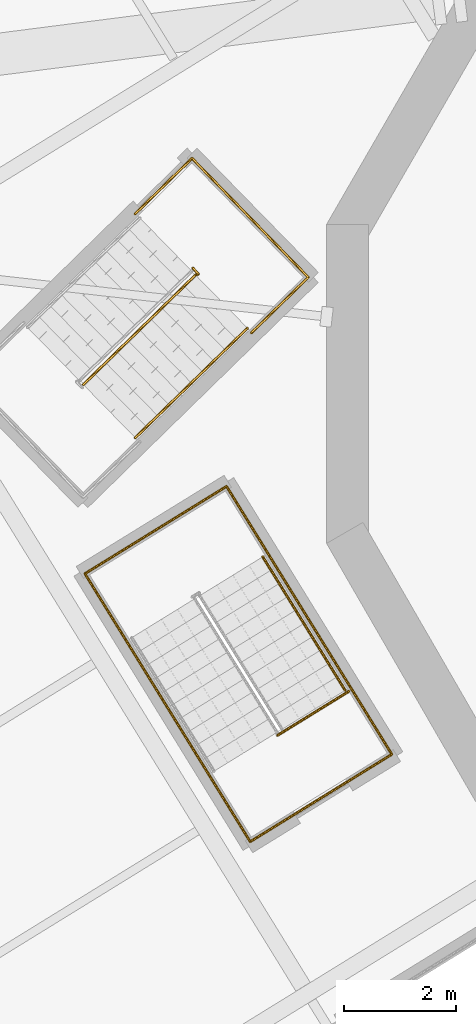
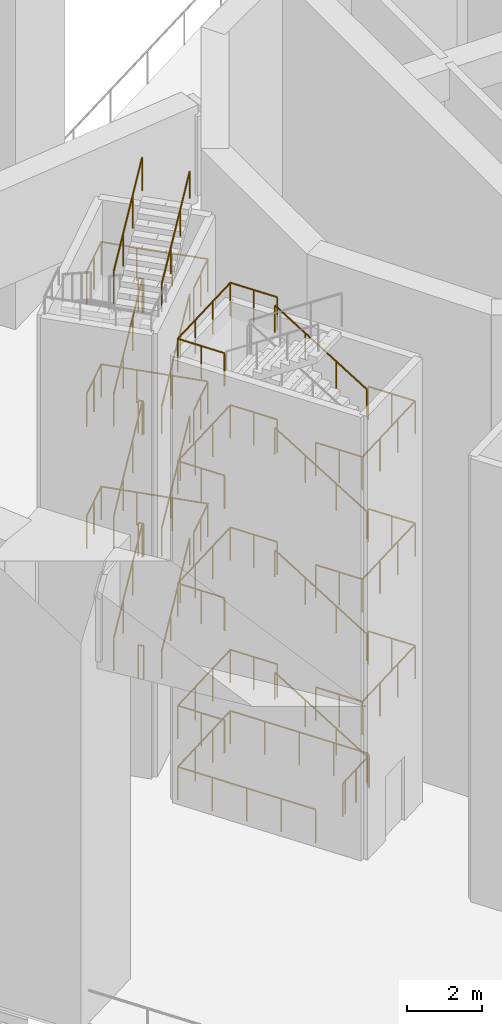
# One storey, part 11 of 15: 26 railings.
"""IFC4 building model written with IfcOpenShell, lengths in metres."""

import ifcopenshell
import ifcopenshell.guid

model = None  # the IFC model being written
_history = None  # IfcOwnerHistory: only IFC2X3 demands one
_inside = {}  # id of a spatial element -> (the spatial element, [elements in it])
_under = {}  # id of a project, library or spatial element -> (it, [spatial elements below it])
_declared = {}  # id of a project -> (the project, [libraries it declares])
_typed = {}  # id of a type object -> (the type object, [elements of that type])
_made_of = {}  # id of a material, layer set ... -> (it, [elements and type objects made of it])


def new_model(schema):
    """Start an empty IFC model of exactly this schema.

    Asked for "IFC4X3", IfcOpenShell would pick the latest addendum, in which some entities
    have other attributes; the version numbers below select the first issue.
    IFC2X3 requires an IfcOwnerHistory on every rooted entity: one is made here for all.
    """
    global model, _history
    if schema == "IFC4X3":
        model = ifcopenshell.file(schema_version=(4, 3, 0, 0))
    else:
        model = ifcopenshell.file(schema=schema)
    _inside.clear()
    _under.clear()
    _declared.clear()
    _typed.clear()
    _made_of.clear()
    _history = None
    if model.schema == "IFC2X3":
        org = make("IfcOrganization", Name="unknown")
        user = make(
            "IfcPersonAndOrganization",
            ThePerson=make("IfcPerson", FamilyName="unknown"),
            TheOrganization=org,
        )
        app = make(
            "IfcApplication",
            ApplicationDeveloper=org,
            Version="unknown",
            ApplicationFullName="unknown",
            ApplicationIdentifier="unknown",
        )
        _history = make(
            "IfcOwnerHistory",
            OwningUser=user,
            OwningApplication=app,
            ChangeAction="ADDED",
            CreationDate=0,
        )
    return model


def make(cls, **values):
    """One entity of the class cls with the attributes given. An attribute that is None is left unset."""
    return model.create_entity(
        cls, **{name: value for name, value in values.items() if value is not None}
    )


def rooted(cls, **values):
    """An entity with a GlobalId (a new one), such as an element, a storey or a relation."""
    return make(cls, GlobalId=ifcopenshell.guid.new(), OwnerHistory=_history, **values)


def si_unit(unit_type, name, prefix=None):
    """IfcSIUnit, for example si_unit("LENGTHUNIT", "METRE", prefix="MILLI")."""
    return make("IfcSIUnit", UnitType=unit_type, Prefix=prefix, Name=name)


def assignment(units):
    """IfcUnitAssignment: the units of a project."""
    return None if units is None else make("IfcUnitAssignment", Units=units)


def point(xyz):
    """IfcCartesianPoint."""
    return None if xyz is None else make("IfcCartesianPoint", Coordinates=xyz)


def direction(xyz):
    """IfcDirection."""
    return None if xyz is None else make("IfcDirection", DirectionRatios=xyz)


def frame(location, z_axis=None, x_axis=None):
    """IfcAxis2Placement3D, a coordinate frame: its origin and axes. An axis left out is left unset."""
    return make(
        "IfcAxis2Placement3D",
        Location=point(location),
        Axis=direction(z_axis),
        RefDirection=direction(x_axis),
    )


def frame_2d(location, x_axis=None):
    """IfcAxis2Placement2D, a coordinate frame in the plane: its origin and x axis."""
    return make(
        "IfcAxis2Placement2D", Location=point(location), RefDirection=direction(x_axis)
    )


def origin():
    """The frame at (0, 0, 0) with its axes left unset."""
    return frame((0.0, 0.0, 0.0))


def origin_2d():
    """The frame at (0, 0) in the plane with its x axis left unset."""
    return frame_2d((0.0, 0.0))


def place(relative_to, where):
    """IfcLocalPlacement: puts the frame where relative to a parent placement (None: the world)."""
    return make(
        "IfcLocalPlacement", PlacementRelTo=relative_to, RelativePlacement=where
    )


def context(
    kind, dimensions, precision=None, world=None, true_north=None, identifier=None
):
    """IfcGeometricRepresentationContext, for example the 3D "Model" context."""
    return make(
        "IfcGeometricRepresentationContext",
        ContextIdentifier=identifier,
        ContextType=kind,
        CoordinateSpaceDimension=dimensions,
        Precision=precision,
        WorldCoordinateSystem=world,
        TrueNorth=true_north,
    )


def subcontext(parent, identifier, kind, view, scale=None):
    """IfcGeometricRepresentationSubContext, for example "Body" below "Model"."""
    return make(
        "IfcGeometricRepresentationSubContext",
        ContextIdentifier=identifier,
        ContextType=kind,
        ParentContext=parent,
        TargetScale=scale,
        TargetView=view,
    )


def project(units=None, contexts=None):
    """IfcProject with its units and contexts."""
    return rooted(
        "IfcProject",
        Name="project",
        RepresentationContexts=contexts,
        UnitsInContext=assignment(units),
    )


def spatial(cls, under=None, at=None, **own):
    """A site, building, storey or space (cls), placed at a placement, below another one or the project."""
    s = rooted(cls, ObjectPlacement=at, **own)
    if under is not None:
        _under.setdefault(under.id(), (under, []))[1].append(s)
    return s


def profile(cls, at=None, kind="AREA", **sizes):
    """A parametric profile (cls). Its sizes go by their IFC names, for example OverallWidth=200.0."""
    return make(cls, ProfileType=kind, Position=at, **sizes)


def circle(**sizes):
    """IfcCircleProfileDef."""
    return profile("IfcCircleProfileDef", **sizes)


def extrude(swept, where, along, depth):
    """IfcExtrudedAreaSolid: the profile swept, set in the frame where, extruded along a direction by depth."""
    return make(
        "IfcExtrudedAreaSolid",
        SweptArea=swept,
        Position=where,
        ExtrudedDirection=direction(along),
        Depth=depth,
    )


def shape(context_of_items, identifier, shape_type, items):
    """IfcShapeRepresentation: the items that make up one representation, for example the "Body"."""
    return make(
        "IfcShapeRepresentation",
        ContextOfItems=context_of_items,
        RepresentationIdentifier=identifier,
        RepresentationType=shape_type,
        Items=items,
    )


def material(Name=None, Category=None):
    """IfcMaterial."""
    return make("IfcMaterial", Name=Name, Category=Category)


def made_of(thing, what):
    """Note that an element or type object is made of a material, layer set ...; save() writes the relation."""
    if what is not None:
        _made_of.setdefault(what.id(), (what, []))[1].append(thing)
    return thing


def type_object(cls, material=None, **own):
    """A type object (cls), such as IfcWallType, which elements share."""
    return made_of(rooted(cls, **own), material)


def element(
    cls,
    number,
    at=None,
    inside=None,
    cuts=None,
    type_object=None,
    material=None,
    context=None,
    identifier="Body",
    shape_type=None,
    held_by="IfcProductDefinitionShape",
    body=None,
    shapes=None,
    **own,
):
    """One element of the class cls, such as IfcWall. Its Tag is "e" and its number.

    at: its placement. inside: the storey or other place that contains it. cuts: it is an
    opening in that element (IfcRelVoidsElement). A single representation is given by context,
    identifier, shape_type and body (its items); several are given by shapes. held_by: the class
    of the entity that holds the representations. save() writes the other relations.
    """
    e = rooted(cls, Tag="e%d" % number, ObjectPlacement=at, **own)
    if body is not None:
        shapes = [shape(context, identifier, shape_type, body)]
    if shapes is not None:
        e.Representation = make(held_by, Representations=shapes)
    if inside is not None:
        _inside.setdefault(inside.id(), (inside, []))[1].append(e)
    if cuts is not None:
        rooted(
            "IfcRelVoidsElement", RelatingBuildingElement=cuts, RelatedOpeningElement=e
        )
    if type_object is not None:
        _typed.setdefault(type_object.id(), (type_object, []))[1].append(e)
    return made_of(e, material)


def aggregate(whole, parts):
    """IfcRelAggregates: a whole, such as a stair, and the parts it consists of."""
    return rooted("IfcRelAggregates", RelatingObject=whole, RelatedObjects=parts)


def save(model, path):
    """Write the relations noted so far, then the file.

    IfcRelAggregates (storeys below a building ...), IfcRelContainedInSpatialStructure (elements
    in a storey), IfcRelDefinesByType, IfcRelAssociatesMaterial and IfcRelDeclares: one each for
    every whole, place, type object, material and project.
    """
    for whole, parts in _under.values():
        aggregate(whole, parts)
    for where, things in _inside.values():
        rooted(
            "IfcRelContainedInSpatialStructure",
            RelatedElements=things,
            RelatingStructure=where,
        )
    for kind, things in _typed.values():
        rooted("IfcRelDefinesByType", RelatedObjects=things, RelatingType=kind)
    for what, things in _made_of.values():
        rooted("IfcRelAssociatesMaterial", RelatedObjects=things, RelatingMaterial=what)
    for by, libraries in _declared.values():
        rooted("IfcRelDeclares", RelatingContext=by, RelatedDefinitions=libraries)
    model.write(path)


model = new_model("IFC4")

# Units and contexts
model_context = context("Model", 3, precision=1e-05, world=origin(), true_north=direction((0.0, 1.0)))
body_context = subcontext(model_context, "Body", "Model", "MODEL_VIEW")
ifc_project = project(units=[si_unit("LENGTHUNIT", "METRE"), si_unit("AREAUNIT", "SQUARE_METRE"), si_unit("VOLUMEUNIT", "CUBIC_METRE"), si_unit("PLANEANGLEUNIT", "RADIAN"), si_unit("MASSUNIT", "GRAM", prefix="KILO")], contexts=[model_context])

# Site, building, storey
site_placement = place(None, origin())
site = spatial("IfcSite", under=ifc_project, at=site_placement, CompositionType="ELEMENT")
building_placement = place(site_placement, origin())
building = spatial("IfcBuilding", under=site, at=building_placement, Name="Cantera Rosa Tower", CompositionType="ELEMENT")
storey_placement = place(building_placement, frame((0.0, 0.0, 189.39990234375)))
storey = spatial("IfcBuildingStorey", under=building, at=storey_placement, Name="L42", CompositionType="ELEMENT", Elevation=189.39990234375)

# Railings
ifc_material_1 = material(Name="Steel S355J2 (EN 10025-2)", Category="steel")
railing_type_1 = type_object("IfcRailingType", Name="STAIR GUARD 1100", PredefinedType="GUARDRAIL", material=ifc_material_1)
railing_1_placement = place(storey_placement, frame((-10.225830078125, -5.486083984375, 0.0)))
element("IfcRailing", 1, at=railing_1_placement, inside=storey, type_object=railing_type_1, Name="L42 ST-32 top well guard 1", PredefinedType="GUARDRAIL", context=body_context, shape_type="SweptSolid", body=[
    extrude(circle(Radius=0.02392578125, at=origin_2d()), frame((0.0, 0.0, 1.076171875), z_axis=(-0.85118298814, -0.524869051004, 0.0), x_axis=(0.524869051004, -0.85118298814, 0.0)), (0.0, 0.0, 1.0), 1.5),
    extrude(circle(Radius=0.02099609375, at=origin_2d()), origin(), (0.0, 0.0, 1.0), 1.052001953125),
    extrude(circle(Radius=0.02099609375, at=origin_2d()), frame((-0.638427734375, -0.3935546875, 0.0)), (0.0, 0.0, 1.0), 1.052001953125),
    extrude(circle(Radius=0.02099609375, at=origin_2d()), frame((-1.27685546875, -0.787353515625, 0.0)), (0.0, 0.0, 1.0), 1.052001953125),
])
railing_2_placement = place(storey_placement, frame((-10.20751953125, -5.40185546875, 0.0)))
element("IfcRailing", 2, at=railing_2_placement, inside=storey, type_object=railing_type_1, Name="L42 ST-32 top well guard 2", PredefinedType="GUARDRAIL", context=body_context, shape_type="SweptSolid", body=[
    extrude(circle(Radius=0.02392578125, at=origin_2d()), frame((0.0, 0.0, 1.076171875), z_axis=(-0.524976478809, 0.851116735059, 0.0), x_axis=(-0.851116735059, -0.524976478809, 0.0)), (0.0, 0.0, 1.0), 4.197998046875),
    extrude(circle(Radius=0.02392578125, at=origin_2d()), frame((-2.203857421875, 3.572998046875, 1.076171875), z_axis=(-0.851132917336, -0.524950242429, 0.0), x_axis=(0.524950242429, -0.851132917336, 0.0)), (0.0, 0.0, 1.0), 2.969970703125),
    extrude(circle(Radius=0.02392578125, at=origin_2d()), frame((-4.731689453125, 2.013916015625, 1.076171875), z_axis=(0.524976478809, -0.851116735059, 0.0), x_axis=(0.851116735059, 0.524976478809, 0.0)), (0.0, 0.0, 1.0), 4.197998046875),
    extrude(circle(Radius=0.02099609375, at=origin_2d()), origin(), (0.0, 0.0, 1.0), 1.052001953125),
    extrude(circle(Radius=0.02099609375, at=origin_2d()), frame((-0.551025390625, 0.893310546875, 0.0)), (0.0, 0.0, 1.0), 1.052001953125),
    extrude(circle(Radius=0.02099609375, at=origin_2d()), frame((-1.10205078125, 1.78662109375, 0.0)), (0.0, 0.0, 1.0), 1.052001953125),
    extrude(circle(Radius=0.02099609375, at=origin_2d()), frame((-1.65283203125, 2.6796875, 0.0)), (0.0, 0.0, 1.0), 1.052001953125),
    extrude(circle(Radius=0.02099609375, at=origin_2d()), frame((-2.203857421875, 3.572998046875, 0.0)), (0.0, 0.0, 1.0), 1.052001953125),
    extrude(circle(Radius=0.02099609375, at=origin_2d()), frame((-3.04638671875, 3.05322265625, 0.0)), (0.0, 0.0, 1.0), 1.052001953125),
    extrude(circle(Radius=0.02099609375, at=origin_2d()), frame((-3.88916015625, 2.53369140625, 0.0)), (0.0, 0.0, 1.0), 1.052001953125),
    extrude(circle(Radius=0.02099609375, at=origin_2d()), frame((-4.731689453125, 2.013916015625, 0.0)), (0.0, 0.0, 1.0), 1.052001953125),
    extrude(circle(Radius=0.02099609375, at=origin_2d()), frame((-4.1806640625, 1.12060546875, 0.0)), (0.0, 0.0, 1.0), 1.052001953125),
    extrude(circle(Radius=0.02099609375, at=origin_2d()), frame((-3.6298828125, 0.2275390625, 0.0)), (0.0, 0.0, 1.0), 1.052001953125),
    extrude(circle(Radius=0.02099609375, at=origin_2d()), frame((-3.078857421875, -0.665771484375, 0.0)), (0.0, 0.0, 1.0), 1.052001953125),
    extrude(circle(Radius=0.02099609375, at=origin_2d()), frame((-2.52783203125, -1.55908203125, 0.0)), (0.0, 0.0, 1.0), 1.052001953125),
])
for number, where, name in (
    (3, (-14.967041015625, -0.013427734375, 2.181884765625), "L42 ST-43 stair guard 2"),
    (4, (-14.967041015625, -0.013427734375, 6.181884765625), "L42 ST-43 stair guard 4"),
    (5, (-14.967041015625, -0.013427734375, 10.181884765625), "L42 ST-43 stair guard 6"),
):
    element("IfcRailing", number, at=place(storey_placement, frame(where)), inside=storey, type_object=railing_type_1, Name=name, PredefinedType="GUARDRAIL", context=body_context, shape_type="SweptSolid", body=[
        extrude(circle(Radius=0.02392578125, at=origin_2d()), frame((0.0, 0.0, 1.076171875), z_axis=(0.599883231653, 0.586134841119, 0.544597150569), x_axis=(-0.698863004655, 0.715255549244, 0.0)), (0.0, 0.0, 1.0), 3.33837890625),
        extrude(circle(Radius=0.02392578125, at=origin_2d()), frame((2.002685546875, 1.956787109375, 2.89404296875), z_axis=(0.956987977523, 0.290127576896, 0.0), x_axis=(-0.290127576896, 0.956987977523, 0.0)), (0.0, 0.0, 1.0), 0.056396484375),
        extrude(circle(Radius=0.02392578125, at=origin_2d()), frame((2.056640625, 1.97314453125, 2.89404296875), z_axis=(-0.698914008722, 0.715205710557, 0.0), x_axis=(-0.715205710557, -0.698914008722, 0.0)), (0.0, 0.0, 1.0), 0.14990234375),
        extrude(circle(Radius=0.02099609375, at=origin_2d()), origin(), (0.0, 0.0, 1.0), 1.052001953125),
        extrude(circle(Radius=0.02099609375, at=origin_2d()), frame((0.66748046875, 0.65234375, 0.60595703125)), (0.0, 0.0, 1.0), 1.052001953125),
        extrude(circle(Radius=0.02099609375, at=origin_2d()), frame((1.335205078125, 1.304443359375, 1.212158203125)), (0.0, 0.0, 1.0), 1.052001953125),
        extrude(circle(Radius=0.02099609375, at=origin_2d()), frame((2.002685546875, 1.956787109375, 1.818115234375)), (0.0, 0.0, 1.0), 1.052001953125),
        extrude(circle(Radius=0.02099609375, at=origin_2d()), frame((2.056640625, 1.97314453125, 1.818115234375)), (0.0, 0.0, 1.0), 1.052001953125),
        extrude(circle(Radius=0.02099609375, at=origin_2d()), frame((1.951904296875, 2.080322265625, 1.818115234375)), (0.0, 0.0, 1.0), 1.052001953125),
    ])
railing_3_placement = place(storey_placement, frame((-14.967041015625, -0.013427734375, 14.181884765625)))
element("IfcRailing", 6, at=railing_3_placement, inside=storey, type_object=railing_type_1, Name="L42 ST-43 stair guard 8", PredefinedType="GUARDRAIL", context=body_context, shape_type="SweptSolid", body=[
    extrude(circle(Radius=0.02392578125, at=origin_2d()), frame((0.0, 0.0, 1.076171875), z_axis=(0.599883231653, 0.586134841119, 0.544597150569), x_axis=(-0.698863004655, 0.715255549244, 0.0)), (0.0, 0.0, 1.0), 3.33837890625),
    extrude(circle(Radius=0.02099609375, at=origin_2d()), origin(), (0.0, 0.0, 1.0), 1.052001953125),
    extrude(circle(Radius=0.02099609375, at=origin_2d()), frame((0.66748046875, 0.65234375, 0.60595703125)), (0.0, 0.0, 1.0), 1.052001953125),
    extrude(circle(Radius=0.02099609375, at=origin_2d()), frame((1.335205078125, 1.304443359375, 1.212158203125)), (0.0, 0.0, 1.0), 1.052001953125),
    extrude(circle(Radius=0.02099609375, at=origin_2d()), frame((2.002685546875, 1.956787109375, 1.818115234375)), (0.0, 0.0, 1.0), 1.052001953125),
])
railing_4_placement = place(storey_placement, frame((-13.01513671875, 2.06689453125, 0.0)))
element("IfcRailing", 7, at=railing_4_placement, inside=storey, type_object=railing_type_1, Name="L42 ST-43 stair guard 9", PredefinedType="GUARDRAIL", context=body_context, shape_type="SweptSolid", body=[
    extrude(circle(Radius=0.02392578125, at=origin_2d()), frame((0.0, 0.0, 1.076171875), z_axis=(0.698914008722, -0.715205710557, 0.0), x_axis=(0.715205710557, 0.698914008722, 0.0)), (0.0, 0.0, 1.0), 0.14990234375),
    extrude(circle(Radius=0.02099609375, at=origin_2d()), origin(), (0.0, 0.0, 1.0), 1.052001953125),
    extrude(circle(Radius=0.02099609375, at=origin_2d()), frame((0.104736328125, -0.107177734375, 0.0)), (0.0, 0.0, 1.0), 1.052001953125),
])
for number, where, name in (
    (8, (-14.044921875, 3.0322265625, 4.0), "L42 ST-43 stair guard 11"),
    (9, (-14.044921875, 3.0322265625, 8.0), "L42 ST-43 stair guard 13"),
    (10, (-14.044921875, 3.0322265625, 12.0), "L42 ST-43 stair guard 15"),
):
    element("IfcRailing", number, at=place(storey_placement, frame(where)), inside=storey, type_object=railing_type_1, Name=name, PredefinedType="GUARDRAIL", context=body_context, shape_type="SweptSolid", body=[
        extrude(circle(Radius=0.02392578125, at=origin_2d()), frame((0.0, 0.0, 1.076171875), z_axis=(0.715300328746, 0.698817171867, 0.0), x_axis=(-0.698817171867, 0.715300328746, 0.0)), (0.0, 0.0, 1.0), 1.421875),
        extrude(circle(Radius=0.02392578125, at=origin_2d()), frame((1.01708984375, 0.99365234375, 1.076171875), z_axis=(0.698838333505, -0.715279654138, 0.0), x_axis=(0.715279654138, 0.698838333505, 0.0)), (0.0, 0.0, 1.0), 2.9697265625),
        extrude(circle(Radius=0.02392578125, at=origin_2d()), frame((3.092529296875, -1.130615234375, 1.076171875), z_axis=(-0.7152145072, -0.698905006915, 0.0), x_axis=(0.698905006915, -0.7152145072, 0.0)), (0.0, 0.0, 1.0), 1.422119140625),
        extrude(circle(Radius=0.02099609375, at=origin_2d()), origin(), (0.0, 0.0, 1.0), 1.052001953125),
        extrude(circle(Radius=0.02099609375, at=origin_2d()), frame((0.508544921875, 0.496826171875, 0.0)), (0.0, 0.0, 1.0), 1.052001953125),
        extrude(circle(Radius=0.02099609375, at=origin_2d()), frame((1.01708984375, 0.99365234375, 0.0)), (0.0, 0.0, 1.0), 1.052001953125),
        extrude(circle(Radius=0.02099609375, at=origin_2d()), frame((1.708984375, 0.28564453125, 0.0)), (0.0, 0.0, 1.0), 1.052001953125),
        extrude(circle(Radius=0.02099609375, at=origin_2d()), frame((2.400634765625, -0.422607421875, 0.0)), (0.0, 0.0, 1.0), 1.052001953125),
        extrude(circle(Radius=0.02099609375, at=origin_2d()), frame((3.092529296875, -1.130615234375, 0.0)), (0.0, 0.0, 1.0), 1.052001953125),
        extrude(circle(Radius=0.02099609375, at=origin_2d()), frame((2.583984375, -1.62744140625, 0.0)), (0.0, 0.0, 1.0), 1.052001953125),
        extrude(circle(Radius=0.02099609375, at=origin_2d()), frame((2.075439453125, -2.12451171875, 0.0)), (0.0, 0.0, 1.0), 1.052001953125),
    ])
railing_5_placement = place(storey_placement, frame((-11.375, -6.19482421875, 0.0)))
element("IfcRailing", 11, at=railing_5_placement, inside=storey, type_object=railing_type_1, Name="L42 ST-44 stair guard 9", PredefinedType="GUARDRAIL", context=body_context, shape_type="SweptSolid", body=[
    extrude(circle(Radius=0.02392578125, at=origin_2d()), frame((0.0, 0.0, 1.076171875), z_axis=(-0.851546489876, -0.524279100842, 0.0), x_axis=(0.524279100842, -0.851546489876, 0.0)), (0.0, 0.0, 1.0), 0.14990234375),
    extrude(circle(Radius=0.02099609375, at=origin_2d()), origin(), (0.0, 0.0, 1.0), 1.052001953125),
    extrude(circle(Radius=0.02099609375, at=origin_2d()), frame((-0.127685546875, -0.07861328125, 0.0)), (0.0, 0.0, 1.0), 1.052001953125),
])
railing_6_placement = place(storey_placement, frame((-11.664794921875, -3.0390625, 2.0)))
element("IfcRailing", 12, at=railing_6_placement, inside=storey, type_object=railing_type_1, Name="L42 ST-44 stair guard 10", PredefinedType="GUARDRAIL", context=body_context, shape_type="SweptSolid", body=[
    extrude(circle(Radius=0.02392578125, at=origin_2d()), frame((0.0, 0.0, 1.076171875), z_axis=(-0.525035889828, 0.851080086944, 0.0), x_axis=(-0.851080086944, -0.525035889828, 0.0)), (0.0, 0.0, 1.0), 1.421875),
    extrude(circle(Radius=0.02392578125, at=origin_2d()), frame((-0.74658203125, 1.210205078125, 1.076171875), z_axis=(-0.851132917336, -0.524950242429, 0.0), x_axis=(0.524950242429, -0.851132917336, 0.0)), (0.0, 0.0, 1.0), 2.969970703125),
    extrude(circle(Radius=0.02392578125, at=origin_2d()), frame((-3.2744140625, -0.348876953125, 1.076171875), z_axis=(0.525035889828, -0.851080086944, 0.0), x_axis=(0.851080086944, 0.525035889828, 0.0)), (0.0, 0.0, 1.0), 1.421875),
    extrude(circle(Radius=0.02099609375, at=origin_2d()), origin(), (0.0, 0.0, 1.0), 1.052001953125),
    extrude(circle(Radius=0.02099609375, at=origin_2d()), frame((-0.373291015625, 0.60498046875, 0.0)), (0.0, 0.0, 1.0), 1.052001953125),
    extrude(circle(Radius=0.02099609375, at=origin_2d()), frame((-0.74658203125, 1.210205078125, 0.0)), (0.0, 0.0, 1.0), 1.052001953125),
    extrude(circle(Radius=0.02099609375, at=origin_2d()), frame((-1.589111328125, 0.6904296875, 0.0)), (0.0, 0.0, 1.0), 1.052001953125),
    extrude(circle(Radius=0.02099609375, at=origin_2d()), frame((-2.431884765625, 0.1708984375, 0.0)), (0.0, 0.0, 1.0), 1.052001953125),
    extrude(circle(Radius=0.02099609375, at=origin_2d()), frame((-3.2744140625, -0.348876953125, 0.0)), (0.0, 0.0, 1.0), 1.052001953125),
    extrude(circle(Radius=0.02099609375, at=origin_2d()), frame((-2.901123046875, -0.9541015625, 0.0)), (0.0, 0.0, 1.0), 1.052001953125),
    extrude(circle(Radius=0.02099609375, at=origin_2d()), frame((-2.52783203125, -1.55908203125, 0.0)), (0.0, 0.0, 1.0), 1.052001953125),
])
railing_7_placement = place(storey_placement, frame((-10.20751953125, -5.40185546875, 4.0)))
element("IfcRailing", 13, at=railing_7_placement, inside=storey, type_object=railing_type_1, Name="L42 ST-44 stair guard 11", PredefinedType="GUARDRAIL", context=body_context, shape_type="SweptSolid", body=[
    extrude(circle(Radius=0.02392578125, at=origin_2d()), frame((0.0, 0.0, 1.076171875), z_axis=(0.525035889828, -0.851080086944, 0.0), x_axis=(0.851080086944, 0.525035889828, 0.0)), (0.0, 0.0, 1.0), 1.421875),
    extrude(circle(Radius=0.02392578125, at=origin_2d()), frame((0.74658203125, -1.210205078125, 1.076171875), z_axis=(-0.851132917336, -0.524950242429, 0.0), x_axis=(0.524950242429, -0.851132917336, 0.0)), (0.0, 0.0, 1.0), 2.969970703125),
    extrude(circle(Radius=0.02392578125, at=origin_2d()), frame((-1.78125, -2.769287109375, 1.076171875), z_axis=(-0.525035889828, 0.851080086944, 0.0), x_axis=(-0.851080086944, -0.525035889828, 0.0)), (0.0, 0.0, 1.0), 1.421875),
    extrude(circle(Radius=0.02099609375, at=origin_2d()), origin(), (0.0, 0.0, 1.0), 1.052001953125),
    extrude(circle(Radius=0.02099609375, at=origin_2d()), frame((0.373291015625, -0.60498046875, 0.0)), (0.0, 0.0, 1.0), 1.052001953125),
    extrude(circle(Radius=0.02099609375, at=origin_2d()), frame((0.74658203125, -1.210205078125, 0.0)), (0.0, 0.0, 1.0), 1.052001953125),
    extrude(circle(Radius=0.02099609375, at=origin_2d()), frame((-0.095947265625, -1.72998046875, 0.0)), (0.0, 0.0, 1.0), 1.052001953125),
    extrude(circle(Radius=0.02099609375, at=origin_2d()), frame((-0.938720703125, -2.24951171875, 0.0)), (0.0, 0.0, 1.0), 1.052001953125),
    extrude(circle(Radius=0.02099609375, at=origin_2d()), frame((-1.78125, -2.769287109375, 0.0)), (0.0, 0.0, 1.0), 1.052001953125),
    extrude(circle(Radius=0.02099609375, at=origin_2d()), frame((-2.154541015625, -2.1640625, 0.0)), (0.0, 0.0, 1.0), 1.052001953125),
    extrude(circle(Radius=0.02099609375, at=origin_2d()), frame((-2.52783203125, -1.55908203125, 0.0)), (0.0, 0.0, 1.0), 1.052001953125),
])
railing_8_placement = place(storey_placement, frame((-11.664794921875, -3.0390625, 6.0)))
element("IfcRailing", 14, at=railing_8_placement, inside=storey, type_object=railing_type_1, Name="L42 ST-44 stair guard 12", PredefinedType="GUARDRAIL", context=body_context, shape_type="SweptSolid", body=[
    extrude(circle(Radius=0.02392578125, at=origin_2d()), frame((0.0, 0.0, 1.076171875), z_axis=(-0.525035889828, 0.851080086944, 0.0), x_axis=(-0.851080086944, -0.525035889828, 0.0)), (0.0, 0.0, 1.0), 1.421875),
    extrude(circle(Radius=0.02392578125, at=origin_2d()), frame((-0.74658203125, 1.210205078125, 1.076171875), z_axis=(-0.851132917336, -0.524950242429, 0.0), x_axis=(0.524950242429, -0.851132917336, 0.0)), (0.0, 0.0, 1.0), 2.969970703125),
    extrude(circle(Radius=0.02392578125, at=origin_2d()), frame((-3.2744140625, -0.348876953125, 1.076171875), z_axis=(0.525035889828, -0.851080086944, 0.0), x_axis=(0.851080086944, 0.525035889828, 0.0)), (0.0, 0.0, 1.0), 1.421875),
    extrude(circle(Radius=0.02099609375, at=origin_2d()), origin(), (0.0, 0.0, 1.0), 1.052001953125),
    extrude(circle(Radius=0.02099609375, at=origin_2d()), frame((-0.373291015625, 0.60498046875, 0.0)), (0.0, 0.0, 1.0), 1.052001953125),
    extrude(circle(Radius=0.02099609375, at=origin_2d()), frame((-0.74658203125, 1.210205078125, 0.0)), (0.0, 0.0, 1.0), 1.052001953125),
    extrude(circle(Radius=0.02099609375, at=origin_2d()), frame((-1.589111328125, 0.6904296875, 0.0)), (0.0, 0.0, 1.0), 1.052001953125),
    extrude(circle(Radius=0.02099609375, at=origin_2d()), frame((-2.431884765625, 0.1708984375, 0.0)), (0.0, 0.0, 1.0), 1.052001953125),
    extrude(circle(Radius=0.02099609375, at=origin_2d()), frame((-3.2744140625, -0.348876953125, 0.0)), (0.0, 0.0, 1.0), 1.052001953125),
    extrude(circle(Radius=0.02099609375, at=origin_2d()), frame((-2.901123046875, -0.9541015625, 0.0)), (0.0, 0.0, 1.0), 1.052001953125),
    extrude(circle(Radius=0.02099609375, at=origin_2d()), frame((-2.52783203125, -1.55908203125, 0.0)), (0.0, 0.0, 1.0), 1.052001953125),
])
railing_9_placement = place(storey_placement, frame((-10.20751953125, -5.40185546875, 8.0)))
element("IfcRailing", 15, at=railing_9_placement, inside=storey, type_object=railing_type_1, Name="L42 ST-44 stair guard 13", PredefinedType="GUARDRAIL", context=body_context, shape_type="SweptSolid", body=[
    extrude(circle(Radius=0.02392578125, at=origin_2d()), frame((0.0, 0.0, 1.076171875), z_axis=(0.525035889828, -0.851080086944, 0.0), x_axis=(0.851080086944, 0.525035889828, 0.0)), (0.0, 0.0, 1.0), 1.421875),
    extrude(circle(Radius=0.02392578125, at=origin_2d()), frame((0.74658203125, -1.210205078125, 1.076171875), z_axis=(-0.851132917336, -0.524950242429, 0.0), x_axis=(0.524950242429, -0.851132917336, 0.0)), (0.0, 0.0, 1.0), 2.969970703125),
    extrude(circle(Radius=0.02392578125, at=origin_2d()), frame((-1.78125, -2.769287109375, 1.076171875), z_axis=(-0.525035889828, 0.851080086944, 0.0), x_axis=(-0.851080086944, -0.525035889828, 0.0)), (0.0, 0.0, 1.0), 1.421875),
    extrude(circle(Radius=0.02099609375, at=origin_2d()), origin(), (0.0, 0.0, 1.0), 1.052001953125),
    extrude(circle(Radius=0.02099609375, at=origin_2d()), frame((0.373291015625, -0.60498046875, 0.0)), (0.0, 0.0, 1.0), 1.052001953125),
    extrude(circle(Radius=0.02099609375, at=origin_2d()), frame((0.74658203125, -1.210205078125, 0.0)), (0.0, 0.0, 1.0), 1.052001953125),
    extrude(circle(Radius=0.02099609375, at=origin_2d()), frame((-0.095947265625, -1.72998046875, 0.0)), (0.0, 0.0, 1.0), 1.052001953125),
    extrude(circle(Radius=0.02099609375, at=origin_2d()), frame((-0.938720703125, -2.24951171875, 0.0)), (0.0, 0.0, 1.0), 1.052001953125),
    extrude(circle(Radius=0.02099609375, at=origin_2d()), frame((-1.78125, -2.769287109375, 0.0)), (0.0, 0.0, 1.0), 1.052001953125),
    extrude(circle(Radius=0.02099609375, at=origin_2d()), frame((-2.154541015625, -2.1640625, 0.0)), (0.0, 0.0, 1.0), 1.052001953125),
    extrude(circle(Radius=0.02099609375, at=origin_2d()), frame((-2.52783203125, -1.55908203125, 0.0)), (0.0, 0.0, 1.0), 1.052001953125),
])
railing_10_placement = place(storey_placement, frame((-11.664794921875, -3.0390625, 10.0)))
element("IfcRailing", 16, at=railing_10_placement, inside=storey, type_object=railing_type_1, Name="L42 ST-44 stair guard 14", PredefinedType="GUARDRAIL", context=body_context, shape_type="SweptSolid", body=[
    extrude(circle(Radius=0.02392578125, at=origin_2d()), frame((0.0, 0.0, 1.076171875), z_axis=(-0.525035889828, 0.851080086944, 0.0), x_axis=(-0.851080086944, -0.525035889828, 0.0)), (0.0, 0.0, 1.0), 1.421875),
    extrude(circle(Radius=0.02392578125, at=origin_2d()), frame((-0.74658203125, 1.210205078125, 1.076171875), z_axis=(-0.851132917336, -0.524950242429, 0.0), x_axis=(0.524950242429, -0.851132917336, 0.0)), (0.0, 0.0, 1.0), 2.969970703125),
    extrude(circle(Radius=0.02392578125, at=origin_2d()), frame((-3.2744140625, -0.348876953125, 1.076171875), z_axis=(0.525035889828, -0.851080086944, 0.0), x_axis=(0.851080086944, 0.525035889828, 0.0)), (0.0, 0.0, 1.0), 1.421875),
    extrude(circle(Radius=0.02099609375, at=origin_2d()), origin(), (0.0, 0.0, 1.0), 1.052001953125),
    extrude(circle(Radius=0.02099609375, at=origin_2d()), frame((-0.373291015625, 0.60498046875, 0.0)), (0.0, 0.0, 1.0), 1.052001953125),
    extrude(circle(Radius=0.02099609375, at=origin_2d()), frame((-0.74658203125, 1.210205078125, 0.0)), (0.0, 0.0, 1.0), 1.052001953125),
    extrude(circle(Radius=0.02099609375, at=origin_2d()), frame((-1.589111328125, 0.6904296875, 0.0)), (0.0, 0.0, 1.0), 1.052001953125),
    extrude(circle(Radius=0.02099609375, at=origin_2d()), frame((-2.431884765625, 0.1708984375, 0.0)), (0.0, 0.0, 1.0), 1.052001953125),
    extrude(circle(Radius=0.02099609375, at=origin_2d()), frame((-3.2744140625, -0.348876953125, 0.0)), (0.0, 0.0, 1.0), 1.052001953125),
    extrude(circle(Radius=0.02099609375, at=origin_2d()), frame((-2.901123046875, -0.9541015625, 0.0)), (0.0, 0.0, 1.0), 1.052001953125),
    extrude(circle(Radius=0.02099609375, at=origin_2d()), frame((-2.52783203125, -1.55908203125, 0.0)), (0.0, 0.0, 1.0), 1.052001953125),
])
railing_11_placement = place(storey_placement, frame((-10.20751953125, -5.40185546875, 12.0)))
element("IfcRailing", 17, at=railing_11_placement, inside=storey, type_object=railing_type_1, Name="L42 ST-44 stair guard 15", PredefinedType="GUARDRAIL", context=body_context, shape_type="SweptSolid", body=[
    extrude(circle(Radius=0.02392578125, at=origin_2d()), frame((0.0, 0.0, 1.076171875), z_axis=(0.525035889828, -0.851080086944, 0.0), x_axis=(0.851080086944, 0.525035889828, 0.0)), (0.0, 0.0, 1.0), 1.421875),
    extrude(circle(Radius=0.02392578125, at=origin_2d()), frame((0.74658203125, -1.210205078125, 1.076171875), z_axis=(-0.851132917336, -0.524950242429, 0.0), x_axis=(0.524950242429, -0.851132917336, 0.0)), (0.0, 0.0, 1.0), 2.969970703125),
    extrude(circle(Radius=0.02392578125, at=origin_2d()), frame((-1.78125, -2.769287109375, 1.076171875), z_axis=(-0.525035889828, 0.851080086944, 0.0), x_axis=(-0.851080086944, -0.525035889828, 0.0)), (0.0, 0.0, 1.0), 1.421875),
    extrude(circle(Radius=0.02099609375, at=origin_2d()), origin(), (0.0, 0.0, 1.0), 1.052001953125),
    extrude(circle(Radius=0.02099609375, at=origin_2d()), frame((0.373291015625, -0.60498046875, 0.0)), (0.0, 0.0, 1.0), 1.052001953125),
    extrude(circle(Radius=0.02099609375, at=origin_2d()), frame((0.74658203125, -1.210205078125, 0.0)), (0.0, 0.0, 1.0), 1.052001953125),
    extrude(circle(Radius=0.02099609375, at=origin_2d()), frame((-0.095947265625, -1.72998046875, 0.0)), (0.0, 0.0, 1.0), 1.052001953125),
    extrude(circle(Radius=0.02099609375, at=origin_2d()), frame((-0.938720703125, -2.24951171875, 0.0)), (0.0, 0.0, 1.0), 1.052001953125),
    extrude(circle(Radius=0.02099609375, at=origin_2d()), frame((-1.78125, -2.769287109375, 0.0)), (0.0, 0.0, 1.0), 1.052001953125),
    extrude(circle(Radius=0.02099609375, at=origin_2d()), frame((-2.154541015625, -2.1640625, 0.0)), (0.0, 0.0, 1.0), 1.052001953125),
    extrude(circle(Radius=0.02099609375, at=origin_2d()), frame((-2.52783203125, -1.55908203125, 0.0)), (0.0, 0.0, 1.0), 1.052001953125),
])
railing_12_placement = place(storey_placement, frame((-11.664794921875, -3.0390625, 14.0)))
element("IfcRailing", 18, at=railing_12_placement, inside=storey, type_object=railing_type_1, Name="L42 ST-44 stair guard 16", PredefinedType="GUARDRAIL", context=body_context, shape_type="SweptSolid", body=[
    extrude(circle(Radius=0.02392578125, at=origin_2d()), frame((0.0, 0.0, 1.076171875), z_axis=(-0.525035889828, 0.851080086944, 0.0), x_axis=(-0.851080086944, -0.525035889828, 0.0)), (0.0, 0.0, 1.0), 1.421875),
    extrude(circle(Radius=0.02392578125, at=origin_2d()), frame((-0.74658203125, 1.210205078125, 1.076171875), z_axis=(-0.851132917336, -0.524950242429, 0.0), x_axis=(0.524950242429, -0.851132917336, 0.0)), (0.0, 0.0, 1.0), 2.969970703125),
    extrude(circle(Radius=0.02392578125, at=origin_2d()), frame((-3.2744140625, -0.348876953125, 1.076171875), z_axis=(0.525035889828, -0.851080086944, 0.0), x_axis=(0.851080086944, 0.525035889828, 0.0)), (0.0, 0.0, 1.0), 1.421875),
    extrude(circle(Radius=0.02099609375, at=origin_2d()), origin(), (0.0, 0.0, 1.0), 1.052001953125),
    extrude(circle(Radius=0.02099609375, at=origin_2d()), frame((-0.373291015625, 0.60498046875, 0.0)), (0.0, 0.0, 1.0), 1.052001953125),
    extrude(circle(Radius=0.02099609375, at=origin_2d()), frame((-0.74658203125, 1.210205078125, 0.0)), (0.0, 0.0, 1.0), 1.052001953125),
    extrude(circle(Radius=0.02099609375, at=origin_2d()), frame((-1.589111328125, 0.6904296875, 0.0)), (0.0, 0.0, 1.0), 1.052001953125),
    extrude(circle(Radius=0.02099609375, at=origin_2d()), frame((-2.431884765625, 0.1708984375, 0.0)), (0.0, 0.0, 1.0), 1.052001953125),
    extrude(circle(Radius=0.02099609375, at=origin_2d()), frame((-3.2744140625, -0.348876953125, 0.0)), (0.0, 0.0, 1.0), 1.052001953125),
    extrude(circle(Radius=0.02099609375, at=origin_2d()), frame((-2.901123046875, -0.9541015625, 0.0)), (0.0, 0.0, 1.0), 1.052001953125),
    extrude(circle(Radius=0.02099609375, at=origin_2d()), frame((-2.52783203125, -1.55908203125, 0.0)), (0.0, 0.0, 1.0), 1.052001953125),
])
ifc_material_2 = material(Name="Steel S355J2 (EN 10025-2)", Category="steel")
railing_type_2 = type_object("IfcRailingType", Name="STAIR HANDRAIL 900", PredefinedType="HANDRAIL", material=ifc_material_2)
for number, where, name in (
    (19, (-14.04052734375, -0.9619140625, 2.181884765625), "L42 ST-43 stair handrail 2"),
    (20, (-14.04052734375, -0.9619140625, 6.181884765625), "L42 ST-43 stair handrail 4"),
    (21, (-14.04052734375, -0.9619140625, 10.181884765625), "L42 ST-43 stair handrail 6"),
    (22, (-14.04052734375, -0.9619140625, 14.181884765625), "L42 ST-43 stair handrail 8"),
):
    element("IfcRailing", number, at=place(storey_placement, frame(where)), inside=storey, type_object=railing_type_2, Name=name, PredefinedType="HANDRAIL", context=body_context, shape_type="SweptSolid", body=[
        extrude(circle(Radius=0.02392578125, at=origin_2d()), frame((0.0, 0.0, 0.8759765625), z_axis=(0.59993004185, 0.586109127917, 0.544573259588), x_axis=(-0.698819420598, 0.715298131827, 0.0)), (0.0, 0.0, 1.0), 3.338623046875),
        extrude(circle(Radius=0.02099609375, at=origin_2d()), origin(), (0.0, 0.0, 1.0), 0.851806640625),
        extrude(circle(Radius=0.02099609375, at=origin_2d()), frame((0.667724609375, 0.65234375, 0.60595703125)), (0.0, 0.0, 1.0), 0.851806640625),
        extrude(circle(Radius=0.02099609375, at=origin_2d()), frame((1.335205078125, 1.304443359375, 1.212158203125)), (0.0, 0.0, 1.0), 0.851806640625),
        extrude(circle(Radius=0.02099609375, at=origin_2d()), frame((2.0029296875, 1.956787109375, 1.818115234375)), (0.0, 0.0, 1.0), 0.851806640625),
    ])
for number, where, name in (
    (23, (-10.294677734375, -5.4697265625, 0.181884765625), "L42 ST-44 stair handrail 1"),
    (24, (-10.294677734375, -5.4697265625, 4.181884765625), "L42 ST-44 stair handrail 3"),
    (25, (-10.294677734375, -5.4697265625, 8.181884765625), "L42 ST-44 stair handrail 5"),
    (26, (-10.294677734375, -5.4697265625, 12.181884765625), "L42 ST-44 stair handrail 7"),
):
    element("IfcRailing", number, at=place(storey_placement, frame(where)), inside=storey, type_object=railing_type_2, Name=name, PredefinedType="HANDRAIL", context=body_context, shape_type="SweptSolid", body=[
        extrude(circle(Radius=0.02392578125, at=origin_2d()), frame((0.0, 0.0, 0.8759765625), z_axis=(-0.440313995068, 0.713819117399, 0.54459696417), x_axis=(-0.851103988667, -0.524997143301, 0.0)), (0.0, 0.0, 1.0), 3.33837890625),
        extrude(circle(Radius=0.02099609375, at=origin_2d()), origin(), (0.0, 0.0, 1.0), 0.851806640625),
        extrude(circle(Radius=0.02099609375, at=origin_2d()), frame((-0.489990234375, 0.79443359375, 0.60595703125)), (0.0, 0.0, 1.0), 0.851806640625),
        extrude(circle(Radius=0.02099609375, at=origin_2d()), frame((-0.97998046875, 1.588623046875, 1.212158203125)), (0.0, 0.0, 1.0), 0.851806640625),
        extrude(circle(Radius=0.02099609375, at=origin_2d()), frame((-1.469970703125, 2.383056640625, 1.818115234375)), (0.0, 0.0, 1.0), 0.851806640625),
    ])

save(model, "model.ifc")
